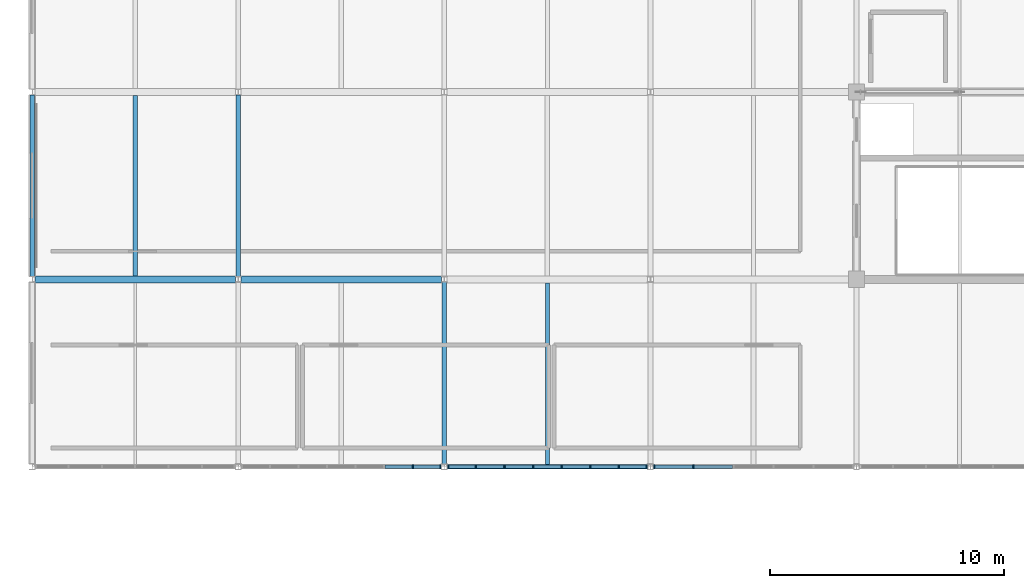
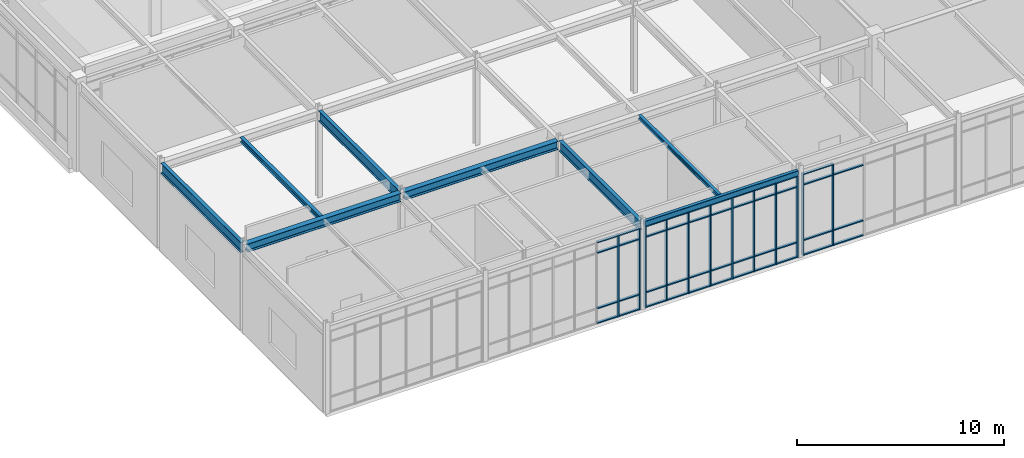
# One storey, part 26 of 184: 55 members, 8 beams, 3 elements without a shape of their own.
"""IFC4 building model written with IfcOpenShell, lengths in metres."""

import ifcopenshell
import ifcopenshell.guid

model = None  # the IFC model being written
_history = None  # IfcOwnerHistory: only IFC2X3 demands one
_inside = {}  # id of a spatial element -> (the spatial element, [elements in it])
_under = {}  # id of a project, library or spatial element -> (it, [spatial elements below it])
_declared = {}  # id of a project -> (the project, [libraries it declares])
_typed = {}  # id of a type object -> (the type object, [elements of that type])
_made_of = {}  # id of a material, layer set ... -> (it, [elements and type objects made of it])


def new_model(schema):
    """Start an empty IFC model of exactly this schema.

    Asked for "IFC4X3", IfcOpenShell would pick the latest addendum, in which some entities
    have other attributes; the version numbers below select the first issue.
    IFC2X3 requires an IfcOwnerHistory on every rooted entity: one is made here for all.
    """
    global model, _history
    if schema == "IFC4X3":
        model = ifcopenshell.file(schema_version=(4, 3, 0, 0))
    else:
        model = ifcopenshell.file(schema=schema)
    _inside.clear()
    _under.clear()
    _declared.clear()
    _typed.clear()
    _made_of.clear()
    _history = None
    if model.schema == "IFC2X3":
        org = make("IfcOrganization", Name="unknown")
        user = make(
            "IfcPersonAndOrganization",
            ThePerson=make("IfcPerson", FamilyName="unknown"),
            TheOrganization=org,
        )
        app = make(
            "IfcApplication",
            ApplicationDeveloper=org,
            Version="unknown",
            ApplicationFullName="unknown",
            ApplicationIdentifier="unknown",
        )
        _history = make(
            "IfcOwnerHistory",
            OwningUser=user,
            OwningApplication=app,
            ChangeAction="ADDED",
            CreationDate=0,
        )
    return model


def make(cls, **values):
    """One entity of the class cls with the attributes given. An attribute that is None is left unset."""
    return model.create_entity(
        cls, **{name: value for name, value in values.items() if value is not None}
    )


def rooted(cls, **values):
    """An entity with a GlobalId (a new one), such as an element, a storey or a relation."""
    return make(cls, GlobalId=ifcopenshell.guid.new(), OwnerHistory=_history, **values)


def si_unit(unit_type, name, prefix=None):
    """IfcSIUnit, for example si_unit("LENGTHUNIT", "METRE", prefix="MILLI")."""
    return make("IfcSIUnit", UnitType=unit_type, Prefix=prefix, Name=name)


def assignment(units):
    """IfcUnitAssignment: the units of a project."""
    return None if units is None else make("IfcUnitAssignment", Units=units)


def point(xyz):
    """IfcCartesianPoint."""
    return None if xyz is None else make("IfcCartesianPoint", Coordinates=xyz)


def direction(xyz):
    """IfcDirection."""
    return None if xyz is None else make("IfcDirection", DirectionRatios=xyz)


def frame(location, z_axis=None, x_axis=None):
    """IfcAxis2Placement3D, a coordinate frame: its origin and axes. An axis left out is left unset."""
    return make(
        "IfcAxis2Placement3D",
        Location=point(location),
        Axis=direction(z_axis),
        RefDirection=direction(x_axis),
    )


def frame_2d(location, x_axis=None):
    """IfcAxis2Placement2D, a coordinate frame in the plane: its origin and x axis."""
    return make(
        "IfcAxis2Placement2D", Location=point(location), RefDirection=direction(x_axis)
    )


def origin():
    """The frame at (0, 0, 0) with its axes left unset."""
    return frame((0.0, 0.0, 0.0))


def origin_2d():
    """The frame at (0, 0) in the plane with its x axis left unset."""
    return frame_2d((0.0, 0.0))


def place(relative_to, where):
    """IfcLocalPlacement: puts the frame where relative to a parent placement (None: the world)."""
    return make(
        "IfcLocalPlacement", PlacementRelTo=relative_to, RelativePlacement=where
    )


def context(
    kind, dimensions, precision=None, world=None, true_north=None, identifier=None
):
    """IfcGeometricRepresentationContext, for example the 3D "Model" context."""
    return make(
        "IfcGeometricRepresentationContext",
        ContextIdentifier=identifier,
        ContextType=kind,
        CoordinateSpaceDimension=dimensions,
        Precision=precision,
        WorldCoordinateSystem=world,
        TrueNorth=true_north,
    )


def subcontext(parent, identifier, kind, view, scale=None):
    """IfcGeometricRepresentationSubContext, for example "Body" below "Model"."""
    return make(
        "IfcGeometricRepresentationSubContext",
        ContextIdentifier=identifier,
        ContextType=kind,
        ParentContext=parent,
        TargetScale=scale,
        TargetView=view,
    )


def project(units=None, contexts=None):
    """IfcProject with its units and contexts."""
    return rooted(
        "IfcProject",
        Name="project",
        RepresentationContexts=contexts,
        UnitsInContext=assignment(units),
    )


def spatial(cls, under=None, at=None, **own):
    """A site, building, storey or space (cls), placed at a placement, below another one or the project."""
    s = rooted(cls, ObjectPlacement=at, **own)
    if under is not None:
        _under.setdefault(under.id(), (under, []))[1].append(s)
    return s


def profile(cls, at=None, kind="AREA", **sizes):
    """A parametric profile (cls). Its sizes go by their IFC names, for example OverallWidth=200.0."""
    return make(cls, ProfileType=kind, Position=at, **sizes)


def rectangle(**sizes):
    """IfcRectangleProfileDef."""
    return profile("IfcRectangleProfileDef", **sizes)


def hollow_rectangle(**sizes):
    """IfcRectangleHollowProfileDef."""
    return profile("IfcRectangleHollowProfileDef", **sizes)


def i_section(**sizes):
    """IfcIShapeProfileDef."""
    return profile("IfcIShapeProfileDef", **sizes)


def extrude(swept, where, along, depth):
    """IfcExtrudedAreaSolid: the profile swept, set in the frame where, extruded along a direction by depth."""
    return make(
        "IfcExtrudedAreaSolid",
        SweptArea=swept,
        Position=where,
        ExtrudedDirection=direction(along),
        Depth=depth,
    )


def shape(context_of_items, identifier, shape_type, items):
    """IfcShapeRepresentation: the items that make up one representation, for example the "Body"."""
    return make(
        "IfcShapeRepresentation",
        ContextOfItems=context_of_items,
        RepresentationIdentifier=identifier,
        RepresentationType=shape_type,
        Items=items,
    )


def material(Name=None, Category=None):
    """IfcMaterial."""
    return make("IfcMaterial", Name=Name, Category=Category)


def material_profile(
    of_material, cross_section, Name=None, Category=None, Priority=None
):
    """IfcMaterialProfile: a cross section and its material."""
    return make(
        "IfcMaterialProfile",
        Name=Name,
        Material=of_material,
        Profile=cross_section,
        Priority=Priority,
        Category=Category,
    )


def profile_set(profiles, Name=None, composite=None):
    """IfcMaterialProfileSet."""
    return make(
        "IfcMaterialProfileSet",
        Name=Name,
        MaterialProfiles=profiles,
        CompositeProfile=composite,
    )


def made_of(thing, what):
    """Note that an element or type object is made of a material, layer set ...; save() writes the relation."""
    if what is not None:
        _made_of.setdefault(what.id(), (what, []))[1].append(thing)
    return thing


def type_object(cls, material=None, **own):
    """A type object (cls), such as IfcWallType, which elements share."""
    return made_of(rooted(cls, **own), material)


def element(
    cls,
    number,
    at=None,
    inside=None,
    cuts=None,
    type_object=None,
    material=None,
    context=None,
    identifier="Body",
    shape_type=None,
    held_by="IfcProductDefinitionShape",
    body=None,
    shapes=None,
    **own,
):
    """One element of the class cls, such as IfcWall. Its Tag is "e" and its number.

    at: its placement. inside: the storey or other place that contains it. cuts: it is an
    opening in that element (IfcRelVoidsElement). A single representation is given by context,
    identifier, shape_type and body (its items); several are given by shapes. held_by: the class
    of the entity that holds the representations. save() writes the other relations.
    """
    e = rooted(cls, Tag="e%d" % number, ObjectPlacement=at, **own)
    if body is not None:
        shapes = [shape(context, identifier, shape_type, body)]
    if shapes is not None:
        e.Representation = make(held_by, Representations=shapes)
    if inside is not None:
        _inside.setdefault(inside.id(), (inside, []))[1].append(e)
    if cuts is not None:
        rooted(
            "IfcRelVoidsElement", RelatingBuildingElement=cuts, RelatedOpeningElement=e
        )
    if type_object is not None:
        _typed.setdefault(type_object.id(), (type_object, []))[1].append(e)
    return made_of(e, material)


def aggregate(whole, parts):
    """IfcRelAggregates: a whole, such as a stair, and the parts it consists of."""
    return rooted("IfcRelAggregates", RelatingObject=whole, RelatedObjects=parts)


def save(model, path):
    """Write the relations noted so far, then the file.

    IfcRelAggregates (storeys below a building ...), IfcRelContainedInSpatialStructure (elements
    in a storey), IfcRelDefinesByType, IfcRelAssociatesMaterial and IfcRelDeclares: one each for
    every whole, place, type object, material and project.
    """
    for whole, parts in _under.values():
        aggregate(whole, parts)
    for where, things in _inside.values():
        rooted(
            "IfcRelContainedInSpatialStructure",
            RelatedElements=things,
            RelatingStructure=where,
        )
    for kind, things in _typed.values():
        rooted("IfcRelDefinesByType", RelatedObjects=things, RelatingType=kind)
    for what, things in _made_of.values():
        rooted("IfcRelAssociatesMaterial", RelatedObjects=things, RelatingMaterial=what)
    for by, libraries in _declared.values():
        rooted("IfcRelDeclares", RelatingContext=by, RelatedDefinitions=libraries)
    model.write(path)


model = new_model("IFC4")

# Units and contexts
model_context = context("Model", 3, precision=1e-05, world=origin(), true_north=direction((0.0, 1.0)))
body_context = subcontext(model_context, "Body", "Model", "MODEL_VIEW")
ifc_project = project(units=[si_unit("LENGTHUNIT", "METRE"), si_unit("AREAUNIT", "SQUARE_METRE"), si_unit("VOLUMEUNIT", "CUBIC_METRE"), si_unit("PLANEANGLEUNIT", "RADIAN"), si_unit("MASSUNIT", "GRAM", prefix="KILO")], contexts=[model_context])

# Site, building, storey
site_placement = place(None, origin())
site = spatial("IfcSite", under=ifc_project, at=site_placement, CompositionType="ELEMENT")
building_placement = place(site_placement, origin())
building = spatial("IfcBuilding", under=site, at=building_placement, Name="Zhaolan Boulevard Law Courts", CompositionType="ELEMENT")
storey_placement = place(building_placement, frame((0.0, 0.0, 5.39990234375)))
storey = spatial("IfcBuildingStorey", under=building, at=storey_placement, Name="L01", CompositionType="ELEMENT", Elevation=5.39990234375)

# Curtain wall, members
ifc_material_1 = material(Name="Thermally broken aluminium and low-E glazing", Category="aluminium")
curtain_wall_type_1 = type_object("IfcCurtainWallType", Name="CURTAIN WALL M5", PredefinedType="USERDEFINED", material=ifc_material_1)
curtain_wall_1_placement = place(storey_placement, origin())
curtain_wall_1 = element("IfcCurtainWall", 1, at=curtain_wall_1_placement, inside=storey, type_object=curtain_wall_type_1, Name="Curtain Wall CW-L01-029", ObjectType="CURTAIN WALL", PredefinedType="USERDEFINED")
ifc_material_2 = material(Name="Fluorocarbon-coated aluminium 6063-T6", Category="aluminium")
ifc_material_profile_1 = material_profile(ifc_material_2, rectangle(XDim=0.179931640625, YDim=0.06494140625, at=origin_2d()), Name="AL65x180")
ifc_profile_set_1 = profile_set([ifc_material_profile_1], Name="Fluorocarbon-coated aluminium 6063-T6")
member_type_1 = type_object("IfcMemberType", Name="CWMULLION 65X180", PredefinedType="MULLION", material=ifc_profile_set_1)
member_1_placement = place(storey_placement, frame((16.252197265625, 6.0, 0.0), z_axis=(0.0, 0.0, 1.0), x_axis=(0.0, 1.0, 0.0)))
member_1 = element("IfcMember", 2, at=member_1_placement, type_object=member_type_1, Name="CW-L01-029 mullion 7", PredefinedType="MULLION", context=body_context, shape_type="SweptSolid", body=[
    extrude(rectangle(XDim=0.179931640625, YDim=0.06494140625, at=origin_2d()), origin(), (0.0, 0.0, 1.0), 4.822998046875),
])
member_2_placement = place(storey_placement, frame((17.4404296875, 6.0, 0.0), z_axis=(0.0, 0.0, 1.0), x_axis=(0.0, 1.0, 0.0)))
member_2 = element("IfcMember", 3, at=member_2_placement, type_object=member_type_1, Name="CW-L01-029 mullion 8", PredefinedType="MULLION", context=body_context, shape_type="SweptSolid", body=[
    extrude(rectangle(XDim=0.179931640625, YDim=0.06494140625, at=origin_2d()), origin(), (0.0, 0.0, 1.0), 4.822998046875),
])

ifc_material_3 = material(Name="Thermally broken aluminium and low-E glazing", Category="aluminium")
curtain_wall_type_2 = type_object("IfcCurtainWallType", Name="CURTAIN WALL M6", PredefinedType="USERDEFINED", material=ifc_material_3)
curtain_wall_2_placement = place(storey_placement, origin())
curtain_wall_2 = element("IfcCurtainWall", 4, at=curtain_wall_2_placement, inside=storey, type_object=curtain_wall_type_2, Name="Curtain Wall CW-L01-030", ObjectType="CURTAIN WALL", PredefinedType="USERDEFINED")
member_3_placement = place(storey_placement, frame((17.759521484375, 6.0, 0.0), z_axis=(0.0, 0.0, 1.0), x_axis=(0.0, 1.0, 0.0)))
member_3 = element("IfcMember", 5, at=member_3_placement, type_object=member_type_1, Name="CW-L01-030 mullion 1", PredefinedType="MULLION", context=body_context, shape_type="SweptSolid", body=[
    extrude(rectangle(XDim=0.179931640625, YDim=0.06494140625, at=origin_2d()), origin(), (0.0, 0.0, 1.0), 4.822998046875),
])
member_4_placement = place(storey_placement, frame((18.94775390625, 6.0, 0.0), z_axis=(0.0, 0.0, 1.0), x_axis=(0.0, 1.0, 0.0)))
member_4 = element("IfcMember", 6, at=member_4_placement, type_object=member_type_1, Name="CW-L01-030 mullion 2", PredefinedType="MULLION", context=body_context, shape_type="SweptSolid", body=[
    extrude(rectangle(XDim=0.179931640625, YDim=0.06494140625, at=origin_2d()), origin(), (0.0, 0.0, 1.0), 4.822998046875),
])
member_5_placement = place(storey_placement, frame((20.168701171875, 6.0, 0.0), z_axis=(0.0, 0.0, 1.0), x_axis=(0.0, 1.0, 0.0)))
member_5 = element("IfcMember", 7, at=member_5_placement, type_object=member_type_1, Name="CW-L01-030 mullion 3", PredefinedType="MULLION", context=body_context, shape_type="SweptSolid", body=[
    extrude(rectangle(XDim=0.179931640625, YDim=0.06494140625, at=origin_2d()), origin(), (0.0, 0.0, 1.0), 4.822998046875),
])
member_6_placement = place(storey_placement, frame((21.3896484375, 6.0, 0.0), z_axis=(0.0, 0.0, 1.0), x_axis=(0.0, 1.0, 0.0)))
member_6 = element("IfcMember", 8, at=member_6_placement, type_object=member_type_1, Name="CW-L01-030 mullion 4", PredefinedType="MULLION", context=body_context, shape_type="SweptSolid", body=[
    extrude(rectangle(XDim=0.179931640625, YDim=0.06494140625, at=origin_2d()), origin(), (0.0, 0.0, 1.0), 4.822998046875),
])
member_7_placement = place(storey_placement, frame((22.6103515625, 6.0, 0.0), z_axis=(0.0, 0.0, 1.0), x_axis=(0.0, 1.0, 0.0)))
member_7 = element("IfcMember", 9, at=member_7_placement, type_object=member_type_1, Name="CW-L01-030 mullion 5", PredefinedType="MULLION", context=body_context, shape_type="SweptSolid", body=[
    extrude(rectangle(XDim=0.179931640625, YDim=0.06494140625, at=origin_2d()), origin(), (0.0, 0.0, 1.0), 4.822998046875),
])
member_8_placement = place(storey_placement, frame((23.831298828125, 6.0, 0.0), z_axis=(0.0, 0.0, 1.0), x_axis=(0.0, 1.0, 0.0)))
member_8 = element("IfcMember", 10, at=member_8_placement, type_object=member_type_1, Name="CW-L01-030 mullion 6", PredefinedType="MULLION", context=body_context, shape_type="SweptSolid", body=[
    extrude(rectangle(XDim=0.179931640625, YDim=0.06494140625, at=origin_2d()), origin(), (0.0, 0.0, 1.0), 4.822998046875),
])
member_9_placement = place(storey_placement, frame((25.05224609375, 6.0, 0.0), z_axis=(0.0, 0.0, 1.0), x_axis=(0.0, 1.0, 0.0)))
member_9 = element("IfcMember", 11, at=member_9_placement, type_object=member_type_1, Name="CW-L01-030 mullion 7", PredefinedType="MULLION", context=body_context, shape_type="SweptSolid", body=[
    extrude(rectangle(XDim=0.179931640625, YDim=0.06494140625, at=origin_2d()), origin(), (0.0, 0.0, 1.0), 4.822998046875),
])
member_10_placement = place(storey_placement, frame((26.240478515625, 6.0, 0.0), z_axis=(0.0, 0.0, 1.0), x_axis=(0.0, 1.0, 0.0)))
member_10 = element("IfcMember", 12, at=member_10_placement, type_object=member_type_1, Name="CW-L01-030 mullion 8", PredefinedType="MULLION", context=body_context, shape_type="SweptSolid", body=[
    extrude(rectangle(XDim=0.179931640625, YDim=0.06494140625, at=origin_2d()), origin(), (0.0, 0.0, 1.0), 4.822998046875),
])

ifc_material_4 = material(Name="Thermally broken aluminium and low-E glazing", Category="aluminium")
curtain_wall_type_3 = type_object("IfcCurtainWallType", Name="CURTAIN WALL M7", PredefinedType="USERDEFINED", material=ifc_material_4)
curtain_wall_3_placement = place(storey_placement, origin())
curtain_wall_3 = element("IfcCurtainWall", 13, at=curtain_wall_3_placement, inside=storey, type_object=curtain_wall_type_3, Name="Curtain Wall CW-L01-031", ObjectType="CURTAIN WALL", PredefinedType="USERDEFINED")
member_11_placement = place(storey_placement, frame((26.5595703125, 6.0, 0.0), z_axis=(0.0, 0.0, 1.0), x_axis=(0.0, 1.0, 0.0)))
member_11 = element("IfcMember", 14, at=member_11_placement, type_object=member_type_1, Name="CW-L01-031 mullion 1", PredefinedType="MULLION", context=body_context, shape_type="SweptSolid", body=[
    extrude(rectangle(XDim=0.179931640625, YDim=0.06494140625, at=origin_2d()), origin(), (0.0, 0.0, 1.0), 4.822998046875),
])
member_12_placement = place(storey_placement, frame((28.236083984375, 6.0, 0.0), z_axis=(0.0, 0.0, 1.0), x_axis=(0.0, 1.0, 0.0)))
member_12 = element("IfcMember", 15, at=member_12_placement, type_object=member_type_1, Name="CW-L01-031 mullion 2", PredefinedType="MULLION", context=body_context, shape_type="SweptSolid", body=[
    extrude(rectangle(XDim=0.179931640625, YDim=0.06494140625, at=origin_2d()), origin(), (0.0, 0.0, 1.0), 4.822998046875),
])

# Member
ifc_material_5 = material(Name="Fluorocarbon-coated aluminium 6063-T6", Category="aluminium")
ifc_material_profile_2 = material_profile(ifc_material_5, rectangle(XDim=0.139892578125, YDim=0.06494140625, at=origin_2d()), Name="AL65x140")
ifc_profile_set_2 = profile_set([ifc_material_profile_2], Name="Fluorocarbon-coated aluminium 6063-T6")
member_type_2 = type_object("IfcMemberType", Name="CWTRANSOM 65X140", PredefinedType="USERDEFINED", material=ifc_profile_set_2)
member_13_placement = place(storey_placement, frame((15.063720703125, 6.0, 0.03271484375), z_axis=(1.0, 0.0, 0.0), x_axis=(0.0, 1.0, 0.0)))
member_13 = element("IfcMember", 16, at=member_13_placement, type_object=member_type_2, Name="CW-L01-029 transom 6.1", ObjectType="TRANSOM", PredefinedType="USERDEFINED", context=body_context, shape_type="SweptSolid", body=[
    extrude(rectangle(XDim=0.139892578125, YDim=0.06494140625, at=origin_2d()), origin(), (0.0, 0.0, 1.0), 1.156005859375),
])

member_14_placement = place(storey_placement, frame((15.063720703125, 6.0, 0.900146484375), z_axis=(1.0, 0.0, 0.0), x_axis=(0.0, 1.0, 0.0)))
member_14 = element("IfcMember", 17, at=member_14_placement, type_object=member_type_2, Name="CW-L01-029 transom 6.2", ObjectType="TRANSOM", PredefinedType="USERDEFINED", context=body_context, shape_type="SweptSolid", body=[
    extrude(rectangle(XDim=0.139892578125, YDim=0.06494140625, at=origin_2d()), origin(), (0.0, 0.0, 1.0), 1.156005859375),
])

member_15_placement = place(storey_placement, frame((15.063720703125, 6.0, 4.173095703125), z_axis=(1.0, 0.0, 0.0), x_axis=(0.0, 1.0, 0.0)))
member_15 = element("IfcMember", 18, at=member_15_placement, type_object=member_type_2, Name="CW-L01-029 transom 6.3", ObjectType="TRANSOM", PredefinedType="USERDEFINED", context=body_context, shape_type="SweptSolid", body=[
    extrude(rectangle(XDim=0.139892578125, YDim=0.06494140625, at=origin_2d()), origin(), (0.0, 0.0, 1.0), 1.156005859375),
])

member_16_placement = place(storey_placement, frame((15.063720703125, 6.0, 4.79052734375), z_axis=(1.0, 0.0, 0.0), x_axis=(0.0, 1.0, 0.0)))
member_16 = element("IfcMember", 19, at=member_16_placement, type_object=member_type_2, Name="CW-L01-029 transom 6.4", ObjectType="TRANSOM", PredefinedType="USERDEFINED", context=body_context, shape_type="SweptSolid", body=[
    extrude(rectangle(XDim=0.139892578125, YDim=0.06494140625, at=origin_2d()), origin(), (0.0, 0.0, 1.0), 1.156005859375),
])

member_17_placement = place(storey_placement, frame((16.28466796875, 6.0, 0.03271484375), z_axis=(1.0, 0.0, 0.0), x_axis=(0.0, 1.0, 0.0)))
member_17 = element("IfcMember", 20, at=member_17_placement, type_object=member_type_2, Name="CW-L01-029 transom 7.1", ObjectType="TRANSOM", PredefinedType="USERDEFINED", context=body_context, shape_type="SweptSolid", body=[
    extrude(rectangle(XDim=0.139892578125, YDim=0.06494140625, at=origin_2d()), origin(), (0.0, 0.0, 1.0), 1.123291015625),
])

member_18_placement = place(storey_placement, frame((16.28466796875, 6.0, 0.900146484375), z_axis=(1.0, 0.0, 0.0), x_axis=(0.0, 1.0, 0.0)))
member_18 = element("IfcMember", 21, at=member_18_placement, type_object=member_type_2, Name="CW-L01-029 transom 7.2", ObjectType="TRANSOM", PredefinedType="USERDEFINED", context=body_context, shape_type="SweptSolid", body=[
    extrude(rectangle(XDim=0.139892578125, YDim=0.06494140625, at=origin_2d()), origin(), (0.0, 0.0, 1.0), 1.123291015625),
])

member_19_placement = place(storey_placement, frame((16.28466796875, 6.0, 4.173095703125), z_axis=(1.0, 0.0, 0.0), x_axis=(0.0, 1.0, 0.0)))
member_19 = element("IfcMember", 22, at=member_19_placement, type_object=member_type_2, Name="CW-L01-029 transom 7.3", ObjectType="TRANSOM", PredefinedType="USERDEFINED", context=body_context, shape_type="SweptSolid", body=[
    extrude(rectangle(XDim=0.139892578125, YDim=0.06494140625, at=origin_2d()), origin(), (0.0, 0.0, 1.0), 1.123291015625),
])

member_20_placement = place(storey_placement, frame((16.28466796875, 6.0, 4.79052734375), z_axis=(1.0, 0.0, 0.0), x_axis=(0.0, 1.0, 0.0)))
member_20 = element("IfcMember", 23, at=member_20_placement, type_object=member_type_2, Name="CW-L01-029 transom 7.4", ObjectType="TRANSOM", PredefinedType="USERDEFINED", context=body_context, shape_type="SweptSolid", body=[
    extrude(rectangle(XDim=0.139892578125, YDim=0.06494140625, at=origin_2d()), origin(), (0.0, 0.0, 1.0), 1.123291015625),
])

aggregate(curtain_wall_1, [member_1, member_2, member_13, member_14, member_15, member_16, member_17, member_18, member_19, member_20])

member_21_placement = place(storey_placement, frame((17.7919921875, 6.0, 0.03271484375), z_axis=(1.0, 0.0, 0.0), x_axis=(0.0, 1.0, 0.0)))
member_21 = element("IfcMember", 24, at=member_21_placement, type_object=member_type_2, Name="CW-L01-030 transom 1.1", ObjectType="TRANSOM", PredefinedType="USERDEFINED", context=body_context, shape_type="SweptSolid", body=[
    extrude(rectangle(XDim=0.139892578125, YDim=0.06494140625, at=origin_2d()), origin(), (0.0, 0.0, 1.0), 1.123291015625),
])

member_22_placement = place(storey_placement, frame((17.7919921875, 6.0, 0.900146484375), z_axis=(1.0, 0.0, 0.0), x_axis=(0.0, 1.0, 0.0)))
member_22 = element("IfcMember", 25, at=member_22_placement, type_object=member_type_2, Name="CW-L01-030 transom 1.2", ObjectType="TRANSOM", PredefinedType="USERDEFINED", context=body_context, shape_type="SweptSolid", body=[
    extrude(rectangle(XDim=0.139892578125, YDim=0.06494140625, at=origin_2d()), origin(), (0.0, 0.0, 1.0), 1.123291015625),
])

member_23_placement = place(storey_placement, frame((17.7919921875, 6.0, 4.173095703125), z_axis=(1.0, 0.0, 0.0), x_axis=(0.0, 1.0, 0.0)))
member_23 = element("IfcMember", 26, at=member_23_placement, type_object=member_type_2, Name="CW-L01-030 transom 1.3", ObjectType="TRANSOM", PredefinedType="USERDEFINED", context=body_context, shape_type="SweptSolid", body=[
    extrude(rectangle(XDim=0.139892578125, YDim=0.06494140625, at=origin_2d()), origin(), (0.0, 0.0, 1.0), 1.123291015625),
])

member_24_placement = place(storey_placement, frame((17.7919921875, 6.0, 4.79052734375), z_axis=(1.0, 0.0, 0.0), x_axis=(0.0, 1.0, 0.0)))
member_24 = element("IfcMember", 27, at=member_24_placement, type_object=member_type_2, Name="CW-L01-030 transom 1.4", ObjectType="TRANSOM", PredefinedType="USERDEFINED", context=body_context, shape_type="SweptSolid", body=[
    extrude(rectangle(XDim=0.139892578125, YDim=0.06494140625, at=origin_2d()), origin(), (0.0, 0.0, 1.0), 1.123291015625),
])

member_25_placement = place(storey_placement, frame((18.98046875, 6.0, 0.03271484375), z_axis=(1.0, 0.0, 0.0), x_axis=(0.0, 1.0, 0.0)))
member_25 = element("IfcMember", 28, at=member_25_placement, type_object=member_type_2, Name="CW-L01-030 transom 2.1", ObjectType="TRANSOM", PredefinedType="USERDEFINED", context=body_context, shape_type="SweptSolid", body=[
    extrude(rectangle(XDim=0.139892578125, YDim=0.06494140625, at=origin_2d()), origin(), (0.0, 0.0, 1.0), 1.15576171875),
])

member_26_placement = place(storey_placement, frame((18.98046875, 6.0, 0.900146484375), z_axis=(1.0, 0.0, 0.0), x_axis=(0.0, 1.0, 0.0)))
member_26 = element("IfcMember", 29, at=member_26_placement, type_object=member_type_2, Name="CW-L01-030 transom 2.2", ObjectType="TRANSOM", PredefinedType="USERDEFINED", context=body_context, shape_type="SweptSolid", body=[
    extrude(rectangle(XDim=0.139892578125, YDim=0.06494140625, at=origin_2d()), origin(), (0.0, 0.0, 1.0), 1.15576171875),
])

member_27_placement = place(storey_placement, frame((18.98046875, 6.0, 4.173095703125), z_axis=(1.0, 0.0, 0.0), x_axis=(0.0, 1.0, 0.0)))
member_27 = element("IfcMember", 30, at=member_27_placement, type_object=member_type_2, Name="CW-L01-030 transom 2.3", ObjectType="TRANSOM", PredefinedType="USERDEFINED", context=body_context, shape_type="SweptSolid", body=[
    extrude(rectangle(XDim=0.139892578125, YDim=0.06494140625, at=origin_2d()), origin(), (0.0, 0.0, 1.0), 1.15576171875),
])

member_28_placement = place(storey_placement, frame((18.98046875, 6.0, 4.79052734375), z_axis=(1.0, 0.0, 0.0), x_axis=(0.0, 1.0, 0.0)))
member_28 = element("IfcMember", 31, at=member_28_placement, type_object=member_type_2, Name="CW-L01-030 transom 2.4", ObjectType="TRANSOM", PredefinedType="USERDEFINED", context=body_context, shape_type="SweptSolid", body=[
    extrude(rectangle(XDim=0.139892578125, YDim=0.06494140625, at=origin_2d()), origin(), (0.0, 0.0, 1.0), 1.15576171875),
])

member_29_placement = place(storey_placement, frame((20.201171875, 6.0, 0.03271484375), z_axis=(1.0, 0.0, 0.0), x_axis=(0.0, 1.0, 0.0)))
member_29 = element("IfcMember", 32, at=member_29_placement, type_object=member_type_2, Name="CW-L01-030 transom 3.1", ObjectType="TRANSOM", PredefinedType="USERDEFINED", context=body_context, shape_type="SweptSolid", body=[
    extrude(rectangle(XDim=0.139892578125, YDim=0.06494140625, at=origin_2d()), origin(), (0.0, 0.0, 1.0), 1.156005859375),
])

member_30_placement = place(storey_placement, frame((20.201171875, 6.0, 0.900146484375), z_axis=(1.0, 0.0, 0.0), x_axis=(0.0, 1.0, 0.0)))
member_30 = element("IfcMember", 33, at=member_30_placement, type_object=member_type_2, Name="CW-L01-030 transom 3.2", ObjectType="TRANSOM", PredefinedType="USERDEFINED", context=body_context, shape_type="SweptSolid", body=[
    extrude(rectangle(XDim=0.139892578125, YDim=0.06494140625, at=origin_2d()), origin(), (0.0, 0.0, 1.0), 1.156005859375),
])

member_31_placement = place(storey_placement, frame((20.201171875, 6.0, 4.173095703125), z_axis=(1.0, 0.0, 0.0), x_axis=(0.0, 1.0, 0.0)))
member_31 = element("IfcMember", 34, at=member_31_placement, type_object=member_type_2, Name="CW-L01-030 transom 3.3", ObjectType="TRANSOM", PredefinedType="USERDEFINED", context=body_context, shape_type="SweptSolid", body=[
    extrude(rectangle(XDim=0.139892578125, YDim=0.06494140625, at=origin_2d()), origin(), (0.0, 0.0, 1.0), 1.156005859375),
])

member_32_placement = place(storey_placement, frame((20.201171875, 6.0, 4.79052734375), z_axis=(1.0, 0.0, 0.0), x_axis=(0.0, 1.0, 0.0)))
member_32 = element("IfcMember", 35, at=member_32_placement, type_object=member_type_2, Name="CW-L01-030 transom 3.4", ObjectType="TRANSOM", PredefinedType="USERDEFINED", context=body_context, shape_type="SweptSolid", body=[
    extrude(rectangle(XDim=0.139892578125, YDim=0.06494140625, at=origin_2d()), origin(), (0.0, 0.0, 1.0), 1.156005859375),
])

member_33_placement = place(storey_placement, frame((21.422119140625, 6.0, 0.03271484375), z_axis=(1.0, 0.0, 0.0), x_axis=(0.0, 1.0, 0.0)))
member_33 = element("IfcMember", 36, at=member_33_placement, type_object=member_type_2, Name="CW-L01-030 transom 4.1", ObjectType="TRANSOM", PredefinedType="USERDEFINED", context=body_context, shape_type="SweptSolid", body=[
    extrude(rectangle(XDim=0.139892578125, YDim=0.06494140625, at=origin_2d()), origin(), (0.0, 0.0, 1.0), 1.15576171875),
])

member_34_placement = place(storey_placement, frame((21.422119140625, 6.0, 0.900146484375), z_axis=(1.0, 0.0, 0.0), x_axis=(0.0, 1.0, 0.0)))
member_34 = element("IfcMember", 37, at=member_34_placement, type_object=member_type_2, Name="CW-L01-030 transom 4.2", ObjectType="TRANSOM", PredefinedType="USERDEFINED", context=body_context, shape_type="SweptSolid", body=[
    extrude(rectangle(XDim=0.139892578125, YDim=0.06494140625, at=origin_2d()), origin(), (0.0, 0.0, 1.0), 1.15576171875),
])

member_35_placement = place(storey_placement, frame((21.422119140625, 6.0, 4.173095703125), z_axis=(1.0, 0.0, 0.0), x_axis=(0.0, 1.0, 0.0)))
member_35 = element("IfcMember", 38, at=member_35_placement, type_object=member_type_2, Name="CW-L01-030 transom 4.3", ObjectType="TRANSOM", PredefinedType="USERDEFINED", context=body_context, shape_type="SweptSolid", body=[
    extrude(rectangle(XDim=0.139892578125, YDim=0.06494140625, at=origin_2d()), origin(), (0.0, 0.0, 1.0), 1.15576171875),
])

member_36_placement = place(storey_placement, frame((21.422119140625, 6.0, 4.79052734375), z_axis=(1.0, 0.0, 0.0), x_axis=(0.0, 1.0, 0.0)))
member_36 = element("IfcMember", 39, at=member_36_placement, type_object=member_type_2, Name="CW-L01-030 transom 4.4", ObjectType="TRANSOM", PredefinedType="USERDEFINED", context=body_context, shape_type="SweptSolid", body=[
    extrude(rectangle(XDim=0.139892578125, YDim=0.06494140625, at=origin_2d()), origin(), (0.0, 0.0, 1.0), 1.15576171875),
])

member_37_placement = place(storey_placement, frame((22.642822265625, 6.0, 0.03271484375), z_axis=(1.0, 0.0, 0.0), x_axis=(0.0, 1.0, 0.0)))
member_37 = element("IfcMember", 40, at=member_37_placement, type_object=member_type_2, Name="CW-L01-030 transom 5.1", ObjectType="TRANSOM", PredefinedType="USERDEFINED", context=body_context, shape_type="SweptSolid", body=[
    extrude(rectangle(XDim=0.139892578125, YDim=0.06494140625, at=origin_2d()), origin(), (0.0, 0.0, 1.0), 1.156005859375),
])

member_38_placement = place(storey_placement, frame((22.642822265625, 6.0, 0.900146484375), z_axis=(1.0, 0.0, 0.0), x_axis=(0.0, 1.0, 0.0)))
member_38 = element("IfcMember", 41, at=member_38_placement, type_object=member_type_2, Name="CW-L01-030 transom 5.2", ObjectType="TRANSOM", PredefinedType="USERDEFINED", context=body_context, shape_type="SweptSolid", body=[
    extrude(rectangle(XDim=0.139892578125, YDim=0.06494140625, at=origin_2d()), origin(), (0.0, 0.0, 1.0), 1.156005859375),
])

member_39_placement = place(storey_placement, frame((22.642822265625, 6.0, 4.173095703125), z_axis=(1.0, 0.0, 0.0), x_axis=(0.0, 1.0, 0.0)))
member_39 = element("IfcMember", 42, at=member_39_placement, type_object=member_type_2, Name="CW-L01-030 transom 5.3", ObjectType="TRANSOM", PredefinedType="USERDEFINED", context=body_context, shape_type="SweptSolid", body=[
    extrude(rectangle(XDim=0.139892578125, YDim=0.06494140625, at=origin_2d()), origin(), (0.0, 0.0, 1.0), 1.156005859375),
])

member_40_placement = place(storey_placement, frame((22.642822265625, 6.0, 4.79052734375), z_axis=(1.0, 0.0, 0.0), x_axis=(0.0, 1.0, 0.0)))
member_40 = element("IfcMember", 43, at=member_40_placement, type_object=member_type_2, Name="CW-L01-030 transom 5.4", ObjectType="TRANSOM", PredefinedType="USERDEFINED", context=body_context, shape_type="SweptSolid", body=[
    extrude(rectangle(XDim=0.139892578125, YDim=0.06494140625, at=origin_2d()), origin(), (0.0, 0.0, 1.0), 1.156005859375),
])

member_41_placement = place(storey_placement, frame((23.86376953125, 6.0, 0.03271484375), z_axis=(1.0, 0.0, 0.0), x_axis=(0.0, 1.0, 0.0)))
member_41 = element("IfcMember", 44, at=member_41_placement, type_object=member_type_2, Name="CW-L01-030 transom 6.1", ObjectType="TRANSOM", PredefinedType="USERDEFINED", context=body_context, shape_type="SweptSolid", body=[
    extrude(rectangle(XDim=0.139892578125, YDim=0.06494140625, at=origin_2d()), origin(), (0.0, 0.0, 1.0), 1.15576171875),
])

member_42_placement = place(storey_placement, frame((23.86376953125, 6.0, 0.900146484375), z_axis=(1.0, 0.0, 0.0), x_axis=(0.0, 1.0, 0.0)))
member_42 = element("IfcMember", 45, at=member_42_placement, type_object=member_type_2, Name="CW-L01-030 transom 6.2", ObjectType="TRANSOM", PredefinedType="USERDEFINED", context=body_context, shape_type="SweptSolid", body=[
    extrude(rectangle(XDim=0.139892578125, YDim=0.06494140625, at=origin_2d()), origin(), (0.0, 0.0, 1.0), 1.15576171875),
])

member_43_placement = place(storey_placement, frame((23.86376953125, 6.0, 4.173095703125), z_axis=(1.0, 0.0, 0.0), x_axis=(0.0, 1.0, 0.0)))
member_43 = element("IfcMember", 46, at=member_43_placement, type_object=member_type_2, Name="CW-L01-030 transom 6.3", ObjectType="TRANSOM", PredefinedType="USERDEFINED", context=body_context, shape_type="SweptSolid", body=[
    extrude(rectangle(XDim=0.139892578125, YDim=0.06494140625, at=origin_2d()), origin(), (0.0, 0.0, 1.0), 1.15576171875),
])

member_44_placement = place(storey_placement, frame((23.86376953125, 6.0, 4.79052734375), z_axis=(1.0, 0.0, 0.0), x_axis=(0.0, 1.0, 0.0)))
member_44 = element("IfcMember", 47, at=member_44_placement, type_object=member_type_2, Name="CW-L01-030 transom 6.4", ObjectType="TRANSOM", PredefinedType="USERDEFINED", context=body_context, shape_type="SweptSolid", body=[
    extrude(rectangle(XDim=0.139892578125, YDim=0.06494140625, at=origin_2d()), origin(), (0.0, 0.0, 1.0), 1.15576171875),
])

member_45_placement = place(storey_placement, frame((25.084716796875, 6.0, 0.03271484375), z_axis=(1.0, 0.0, 0.0), x_axis=(0.0, 1.0, 0.0)))
member_45 = element("IfcMember", 48, at=member_45_placement, type_object=member_type_2, Name="CW-L01-030 transom 7.1", ObjectType="TRANSOM", PredefinedType="USERDEFINED", context=body_context, shape_type="SweptSolid", body=[
    extrude(rectangle(XDim=0.139892578125, YDim=0.06494140625, at=origin_2d()), origin(), (0.0, 0.0, 1.0), 1.123291015625),
])

member_46_placement = place(storey_placement, frame((25.084716796875, 6.0, 0.900146484375), z_axis=(1.0, 0.0, 0.0), x_axis=(0.0, 1.0, 0.0)))
member_46 = element("IfcMember", 49, at=member_46_placement, type_object=member_type_2, Name="CW-L01-030 transom 7.2", ObjectType="TRANSOM", PredefinedType="USERDEFINED", context=body_context, shape_type="SweptSolid", body=[
    extrude(rectangle(XDim=0.139892578125, YDim=0.06494140625, at=origin_2d()), origin(), (0.0, 0.0, 1.0), 1.123291015625),
])

member_47_placement = place(storey_placement, frame((25.084716796875, 6.0, 4.173095703125), z_axis=(1.0, 0.0, 0.0), x_axis=(0.0, 1.0, 0.0)))
member_47 = element("IfcMember", 50, at=member_47_placement, type_object=member_type_2, Name="CW-L01-030 transom 7.3", ObjectType="TRANSOM", PredefinedType="USERDEFINED", context=body_context, shape_type="SweptSolid", body=[
    extrude(rectangle(XDim=0.139892578125, YDim=0.06494140625, at=origin_2d()), origin(), (0.0, 0.0, 1.0), 1.123291015625),
])

member_48_placement = place(storey_placement, frame((25.084716796875, 6.0, 4.79052734375), z_axis=(1.0, 0.0, 0.0), x_axis=(0.0, 1.0, 0.0)))
member_48 = element("IfcMember", 51, at=member_48_placement, type_object=member_type_2, Name="CW-L01-030 transom 7.4", ObjectType="TRANSOM", PredefinedType="USERDEFINED", context=body_context, shape_type="SweptSolid", body=[
    extrude(rectangle(XDim=0.139892578125, YDim=0.06494140625, at=origin_2d()), origin(), (0.0, 0.0, 1.0), 1.123291015625),
])

aggregate(curtain_wall_2, [member_3, member_4, member_5, member_6, member_7, member_8, member_9, member_10, member_21, member_22, member_23, member_24, member_25, member_26, member_27, member_28, member_29, member_30, member_31, member_32, member_33, member_34, member_35, member_36, member_37, member_38, member_39, member_40, member_41, member_42, member_43, member_44, member_45, member_46, member_47, member_48])

member_49_placement = place(storey_placement, frame((26.592041015625, 6.0, 0.03271484375), z_axis=(1.0, 0.0, 0.0), x_axis=(0.0, 1.0, 0.0)))
member_49 = element("IfcMember", 52, at=member_49_placement, type_object=member_type_2, Name="CW-L01-031 transom 1.1", ObjectType="TRANSOM", PredefinedType="USERDEFINED", context=body_context, shape_type="SweptSolid", body=[
    extrude(rectangle(XDim=0.139892578125, YDim=0.06494140625, at=origin_2d()), origin(), (0.0, 0.0, 1.0), 1.611572265625),
])

member_50_placement = place(storey_placement, frame((26.592041015625, 6.0, 0.900146484375), z_axis=(1.0, 0.0, 0.0), x_axis=(0.0, 1.0, 0.0)))
member_50 = element("IfcMember", 53, at=member_50_placement, type_object=member_type_2, Name="CW-L01-031 transom 1.2", ObjectType="TRANSOM", PredefinedType="USERDEFINED", context=body_context, shape_type="SweptSolid", body=[
    extrude(rectangle(XDim=0.139892578125, YDim=0.06494140625, at=origin_2d()), origin(), (0.0, 0.0, 1.0), 1.611572265625),
])

member_51_placement = place(storey_placement, frame((26.592041015625, 6.0, 4.173095703125), z_axis=(1.0, 0.0, 0.0), x_axis=(0.0, 1.0, 0.0)))
member_51 = element("IfcMember", 54, at=member_51_placement, type_object=member_type_2, Name="CW-L01-031 transom 1.3", ObjectType="TRANSOM", PredefinedType="USERDEFINED", context=body_context, shape_type="SweptSolid", body=[
    extrude(rectangle(XDim=0.139892578125, YDim=0.06494140625, at=origin_2d()), origin(), (0.0, 0.0, 1.0), 1.611572265625),
])

member_52_placement = place(storey_placement, frame((26.592041015625, 6.0, 4.79052734375), z_axis=(1.0, 0.0, 0.0), x_axis=(0.0, 1.0, 0.0)))
member_52 = element("IfcMember", 55, at=member_52_placement, type_object=member_type_2, Name="CW-L01-031 transom 1.4", ObjectType="TRANSOM", PredefinedType="USERDEFINED", context=body_context, shape_type="SweptSolid", body=[
    extrude(rectangle(XDim=0.139892578125, YDim=0.06494140625, at=origin_2d()), origin(), (0.0, 0.0, 1.0), 1.611572265625),
])

member_53_placement = place(storey_placement, frame((28.268798828125, 6.0, 0.03271484375), z_axis=(1.0, 0.0, 0.0), x_axis=(0.0, 1.0, 0.0)))
member_53 = element("IfcMember", 56, at=member_53_placement, type_object=member_type_2, Name="CW-L01-031 transom 2.1", ObjectType="TRANSOM", PredefinedType="USERDEFINED", context=body_context, shape_type="SweptSolid", body=[
    extrude(rectangle(XDim=0.139892578125, YDim=0.06494140625, at=origin_2d()), origin(), (0.0, 0.0, 1.0), 1.64404296875),
])

member_54_placement = place(storey_placement, frame((28.268798828125, 6.0, 0.900146484375), z_axis=(1.0, 0.0, 0.0), x_axis=(0.0, 1.0, 0.0)))
member_54 = element("IfcMember", 57, at=member_54_placement, type_object=member_type_2, Name="CW-L01-031 transom 2.2", ObjectType="TRANSOM", PredefinedType="USERDEFINED", context=body_context, shape_type="SweptSolid", body=[
    extrude(rectangle(XDim=0.139892578125, YDim=0.06494140625, at=origin_2d()), origin(), (0.0, 0.0, 1.0), 1.64404296875),
])

member_55_placement = place(storey_placement, frame((28.268798828125, 6.0, 4.173095703125), z_axis=(1.0, 0.0, 0.0), x_axis=(0.0, 1.0, 0.0)))
member_55 = element("IfcMember", 58, at=member_55_placement, type_object=member_type_2, Name="CW-L01-031 transom 2.3", ObjectType="TRANSOM", PredefinedType="USERDEFINED", context=body_context, shape_type="SweptSolid", body=[
    extrude(rectangle(XDim=0.139892578125, YDim=0.06494140625, at=origin_2d()), origin(), (0.0, 0.0, 1.0), 1.64404296875),
])

aggregate(curtain_wall_3, [member_11, member_12, member_49, member_50, member_51, member_52, member_53, member_54, member_55])

# Beams
ifc_material_6 = material(Name="Structural steel Q355B", Category="steel")
ifc_material_profile_3 = material_profile(ifc_material_6, i_section(OverallWidth=0.300048828125, OverallDepth=0.488037109375, WebThickness=0.010986328125, FlangeThickness=0.01806640625, FilletRadius=0.02197265625, at=origin_2d()), Name="HM488x300")
ifc_profile_set_3 = profile_set([ifc_material_profile_3], Name="Structural steel Q355B")
beam_type_1 = type_object("IfcBeamType", Name="GIRDER HM500", PredefinedType="BEAM", material=ifc_profile_set_3)
beam_1_placement = place(storey_placement, frame((0.12109375, 14.0, 4.89404296875), z_axis=(1.0, 0.0, 0.0), x_axis=(0.0, 1.0, 0.0)))
element("IfcBeam", 59, at=beam_1_placement, inside=storey, type_object=beam_type_1, Name="Beam BX-L02-1-2-C", PredefinedType="BEAM", context=body_context, shape_type="SweptSolid", body=[
    extrude(i_section(OverallWidth=0.300048828125, OverallDepth=0.488037109375, WebThickness=0.010986328125, FlangeThickness=0.01806640625, FilletRadius=0.02197265625, at=origin_2d()), origin(), (0.0, 0.0, 1.0), 8.557861328125),
])
beam_2_placement = place(storey_placement, frame((8.9208984375, 14.0, 4.89404296875), z_axis=(1.0, 0.0, 0.0), x_axis=(0.0, 1.0, 0.0)))
element("IfcBeam", 60, at=beam_2_placement, inside=storey, type_object=beam_type_1, Name="Beam BX-L02-2-3-C", PredefinedType="BEAM", context=body_context, shape_type="SweptSolid", body=[
    extrude(i_section(OverallWidth=0.300048828125, OverallDepth=0.488037109375, WebThickness=0.010986328125, FlangeThickness=0.01806640625, FilletRadius=0.02197265625, at=origin_2d()), origin(), (0.0, 0.0, 1.0), 8.55810546875),
])
ifc_material_7 = material(Name="Structural steel Q355B", Category="steel")
ifc_material_profile_4 = material_profile(ifc_material_7, i_section(OverallWidth=0.199951171875, OverallDepth=0.60009765625, WebThickness=0.010986328125, FlangeThickness=0.01708984375, FilletRadius=0.02001953125, at=origin_2d()), Name="HN600x200")
ifc_profile_set_4 = profile_set([ifc_material_profile_4], Name="Structural steel Q355B")
beam_type_2 = type_object("IfcBeamType", Name="GIRDER HN600", PredefinedType="BEAM", material=ifc_profile_set_4)
for number, where, z_axis, x_axis, name in (
    (61, (0.0, 14.12109375, 4.838134765625), (0.0, 1.0, 0.0), (-1.0, 0.0, 0.0), "Beam BY-L02-1-C-D"),
    (62, (8.800048828125, 14.12109375, 4.838134765625), (0.0, 1.0, 0.0), (-1.0, 0.0, 0.0), "Beam BY-L02-2-C-D"),
    (63, (17.60009765625, 6.12109375, 4.838134765625), (0.0, 1.0, 0.0), (-1.0, 0.0, 0.0), "Beam BY-L02-3-B-C"),
):
    element("IfcBeam", number, at=place(storey_placement, frame(where, z_axis=z_axis, x_axis=x_axis)), inside=storey, type_object=beam_type_2, Name=name, PredefinedType="BEAM", context=body_context, shape_type="SweptSolid", body=[
        extrude(i_section(OverallWidth=0.199951171875, OverallDepth=0.60009765625, WebThickness=0.010986328125, FlangeThickness=0.01708984375, FilletRadius=0.02001953125, at=origin_2d()), origin(), (0.0, 0.0, 1.0), 7.7578125),
    ])
ifc_material_8 = material(Name="Structural steel Q355B", Category="steel")
ifc_material_profile_5 = material_profile(ifc_material_8, i_section(OverallWidth=0.175048828125, OverallDepth=0.243896484375, WebThickness=0.007080078125, FlangeThickness=0.010986328125, FilletRadius=0.012939453125, at=origin_2d()), Name="HM244x175")
ifc_profile_set_5 = profile_set([ifc_material_profile_5], Name="Structural steel Q355B")
beam_type_3 = type_object("IfcBeamType", Name="JOIST HM244", PredefinedType="JOIST", material=ifc_profile_set_5)
beam_3_placement = place(storey_placement, frame((22.0, 6.095947265625, 5.01611328125), z_axis=(0.0, 1.0, 0.0), x_axis=(-1.0, 0.0, 0.0)))
element("IfcBeam", 64, at=beam_3_placement, inside=storey, type_object=beam_type_3, Name="Composite Joist J-L02-3B", PredefinedType="JOIST", context=body_context, shape_type="SweptSolid", body=[
    extrude(i_section(OverallWidth=0.175048828125, OverallDepth=0.243896484375, WebThickness=0.007080078125, FlangeThickness=0.010986328125, FilletRadius=0.012939453125, at=origin_2d()), origin(), (0.0, 0.0, 1.0), 7.758056640625),
])
ifc_material_9 = material(Name="Structural steel Q355B", Category="steel")
ifc_material_profile_6 = material_profile(ifc_material_9, i_section(OverallWidth=0.199951171875, OverallDepth=0.2939453125, WebThickness=0.008056640625, FlangeThickness=0.011962890625, FilletRadius=0.01611328125, at=origin_2d()), Name="HM294x200")
ifc_profile_set_6 = profile_set([ifc_material_profile_6], Name="Structural steel Q355B")
beam_type_4 = type_object("IfcBeamType", Name="JOIST HM294", PredefinedType="JOIST", material=ifc_profile_set_6)
beam_4_placement = place(storey_placement, frame((4.39990234375, 14.14599609375, 4.9912109375), z_axis=(0.0, 1.0, 0.0), x_axis=(-1.0, 0.0, 0.0)))
element("IfcBeam", 65, at=beam_4_placement, inside=storey, type_object=beam_type_4, Name="Composite Joist J-L02-1C", PredefinedType="JOIST", context=body_context, shape_type="SweptSolid", body=[
    extrude(i_section(OverallWidth=0.199951171875, OverallDepth=0.2939453125, WebThickness=0.008056640625, FlangeThickness=0.011962890625, FilletRadius=0.01611328125, at=origin_2d()), origin(), (0.0, 0.0, 1.0), 7.7080078125),
])
ifc_material_10 = material(Name="Structural steel Q355B", Category="steel")
ifc_material_profile_7 = material_profile(ifc_material_10, hollow_rectangle(XDim=0.199951171875, YDim=0.300048828125, WallThickness=0.011962890625, InnerFilletRadius=0.011962890625, OuterFilletRadius=0.02392578125, at=origin_2d()), Name="HSS300x200x12")
ifc_profile_set_7 = profile_set([ifc_material_profile_7], Name="Structural steel Q355B")
beam_type_5 = type_object("IfcBeamType", Name="SPANDREL HSS300", PredefinedType="SPANDREL", material=ifc_profile_set_7)
beam_5_placement = place(storey_placement, frame((17.720947265625, 6.0, 4.988037109375), z_axis=(1.0, 0.0, 0.0), x_axis=(0.0, 1.0, 0.0)))
element("IfcBeam", 66, at=beam_5_placement, inside=storey, type_object=beam_type_5, Name="Beam BX-L02-3-4-B", PredefinedType="SPANDREL", context=body_context, shape_type="SweptSolid", body=[
    extrude(hollow_rectangle(XDim=0.199951171875, YDim=0.300048828125, WallThickness=0.011962890625, InnerFilletRadius=0.011962890625, OuterFilletRadius=0.02392578125, at=origin_2d()), origin(), (0.0, 0.0, 1.0), 8.55810546875),
])

save(model, "model.ifc")
